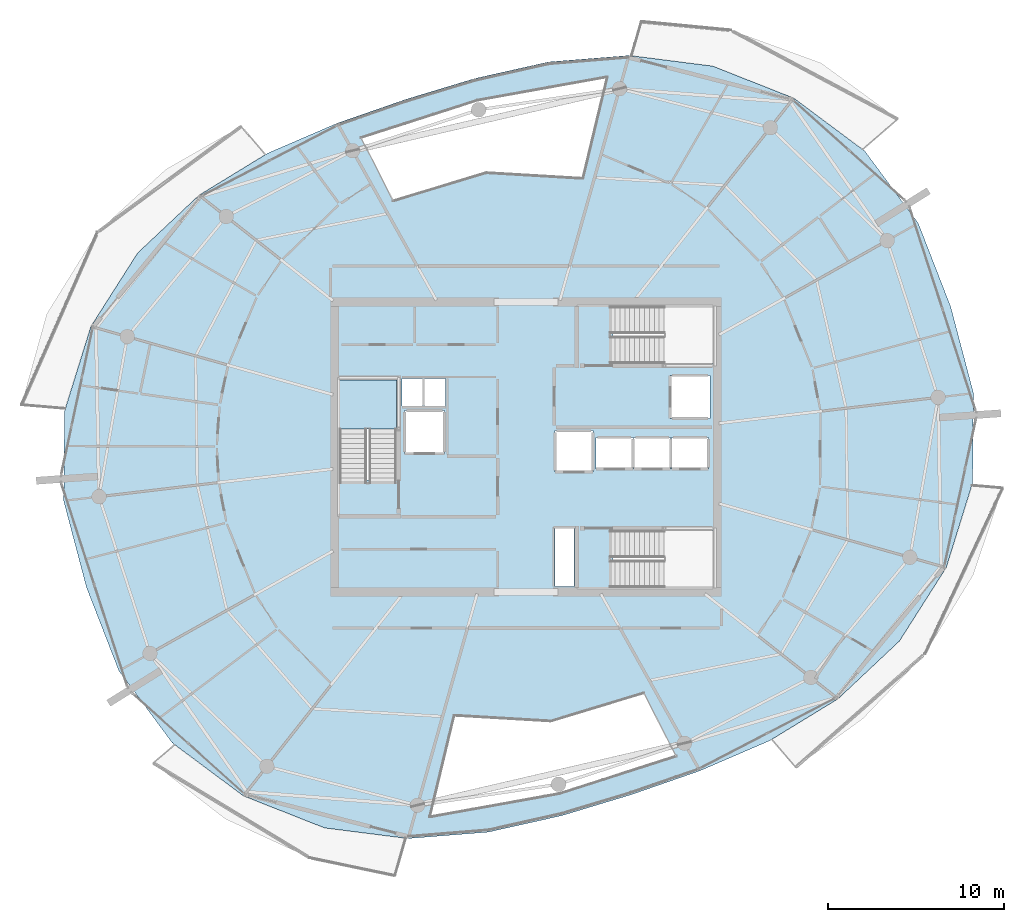
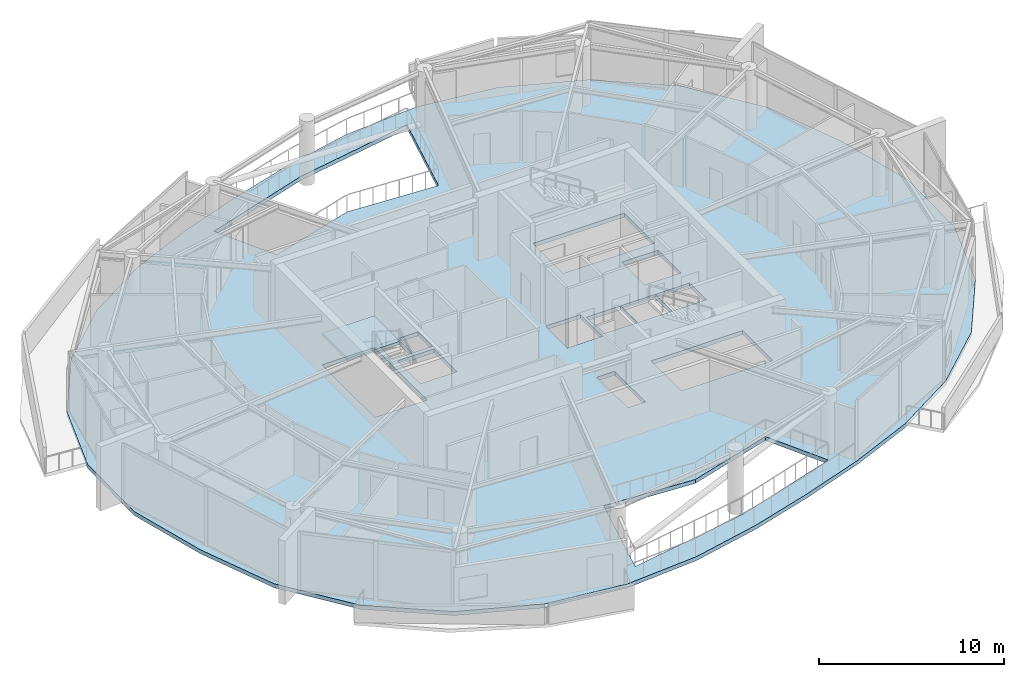
# One storey, part 10 of 22: 2 slabs, 1 element without a shape of its own.
"""IFC4 building model written with IfcOpenShell, lengths in metres."""

from ifc_helpers import new_model, si_unit, direction, frame, origin, place, context, subcontext, project, spatial, polyline, outline, extrude, material, layer, layer_set, type_object, element, aggregate, save


model = new_model("IFC4")

# Units and contexts
model_context = context("Model", 3, precision=1e-05, world=origin(), true_north=direction((0.0, 1.0)))
body_context = subcontext(model_context, "Body", "Model", "MODEL_VIEW")
ifc_project = project(units=[si_unit("LENGTHUNIT", "METRE"), si_unit("AREAUNIT", "SQUARE_METRE"), si_unit("VOLUMEUNIT", "CUBIC_METRE"), si_unit("PLANEANGLEUNIT", "RADIAN"), si_unit("MASSUNIT", "GRAM", prefix="KILO")], contexts=[model_context])

# Site, building, storey
site_placement = place(None, origin())
site = spatial("IfcSite", under=ifc_project, at=site_placement, CompositionType="ELEMENT")
building_placement = place(site_placement, origin())
building = spatial("IfcBuilding", under=site, at=building_placement, Name="Kazma Halo Residences", CompositionType="ELEMENT")
storey_placement = place(building_placement, frame((0.0, 0.0, 326.300048828125)))
storey = spatial("IfcBuildingStorey", under=building, at=storey_placement, Name="L82", CompositionType="ELEMENT", Elevation=326.300048828125)

# Slab
ifc_material = material(Name="Concrete C50/60", Category="concrete")
ifc_layer_1 = layer(ifc_material, 0.260009765625)
ifc_layer_set_1 = layer_set([ifc_layer_1], Name="Concrete C50/60")
slab_type_1 = type_object("IfcSlabType", Name="SLB-RES-260", PredefinedType="FLOOR", material=ifc_layer_set_1)
slab_1_placement = place(storey_placement, frame((0.0, 0.0, -0.260009765625)))
element("IfcSlab", 1, at=slab_1_placement, inside=storey, type_object=slab_type_1, Name="L82 structural floor slab", PredefinedType="FLOOR", context=body_context, shape_type="SweptSolid", body=[
    extrude(outline(polyline([(72.573486328125, 49.984375), (70.730224609375, 54.7294921875), (67.697265625, 58.822998046875), (63.6455078125, 61.84619140625), (59.037841796875, 63.6630859375), (54.280517578125, 64.269287109375), (49.723876953125, 63.90478515625), (45.51904296875, 62.9609375), (41.576416015625, 61.76953125), (37.6865234375, 60.416015625), (33.72998046875, 58.7080078125), (29.829345703125, 56.32470703125), (26.3369140625, 53.037841796875), (23.677001953125, 48.85986328125), (22.17626953125, 44.032470703125), (22.12841796875, 38.93798828125), (23.426513671875, 34.015625), (25.269775390625, 29.2705078125), (28.302734375, 25.177001953125), (32.3544921875, 22.15380859375), (36.962158203125, 20.3369140625), (41.719482421875, 19.730712890625), (46.276123046875, 20.09521484375), (50.48095703125, 21.0390625), (54.423583984375, 22.23046875), (58.3134765625, 23.583984375), (62.27001953125, 25.2919921875), (66.170654296875, 27.67529296875), (69.6630859375, 30.962158203125), (72.322998046875, 35.14013671875), (73.82373046875, 39.967529296875), (73.87158203125, 45.06201171875), (72.573486328125, 49.984375)]), holes=[polyline([(37.800048828125, 40.110107421875), (41.050048828125, 40.110107421875), (41.050048828125, 45.800048828125), (37.800048828125, 45.800048828125), (37.800048828125, 40.110107421875)]), polyline([(53.360107421875, 46.75), (59.050048828125, 46.75), (59.050048828125, 50.0), (53.360107421875, 50.0), (53.360107421875, 46.75)]), polyline([(53.360107421875, 34.0), (59.050048828125, 34.0), (59.050048828125, 37.25), (53.360107421875, 37.25), (53.360107421875, 34.0)]), polyline([(41.52001953125, 41.6201171875), (43.780029296875, 41.6201171875), (43.780029296875, 44.080078125), (41.52001953125, 44.080078125), (41.52001953125, 41.6201171875)]), polyline([(56.6201171875, 43.6201171875), (58.8798828125, 43.6201171875), (58.8798828125, 46.080078125), (56.6201171875, 46.080078125), (56.6201171875, 43.6201171875)]), polyline([(52.39501953125, 40.7451171875), (54.5048828125, 40.7451171875), (54.5048828125, 42.554931640625), (52.39501953125, 42.554931640625), (52.39501953125, 40.7451171875)]), polyline([(54.544921875, 40.7451171875), (56.655029296875, 40.7451171875), (56.655029296875, 42.554931640625), (54.544921875, 42.554931640625), (54.544921875, 40.7451171875)]), polyline([(56.695068359375, 40.7451171875), (58.804931640625, 40.7451171875), (58.804931640625, 42.554931640625), (56.695068359375, 42.554931640625), (56.695068359375, 40.7451171875)]), polyline([(50.070068359375, 40.570068359375), (52.22998046875, 40.570068359375), (52.22998046875, 42.929931640625), (50.070068359375, 42.929931640625), (50.070068359375, 40.570068359375)]), polyline([(41.360107421875, 44.340087890625), (42.5400390625, 44.340087890625), (42.5400390625, 45.89990234375), (41.360107421875, 45.89990234375), (41.360107421875, 44.340087890625)]), polyline([(42.659912109375, 44.340087890625), (43.840087890625, 44.340087890625), (43.840087890625, 45.89990234375), (42.659912109375, 45.89990234375), (42.659912109375, 44.340087890625)]), polyline([(50.06005859375, 34.080078125), (51.159912109375, 34.080078125), (51.159912109375, 37.3798828125), (50.06005859375, 37.3798828125), (50.06005859375, 34.080078125)]), polyline([(51.6650390625, 57.26611328125), (46.15478515625, 57.59130859375), (40.872314453125, 55.98876953125), (39.036376953125, 59.592041015625), (45.666015625, 61.7197265625), (53.052978515625, 63.047119140625), (51.6650390625, 57.26611328125)]), polyline([(44.3349609375, 26.73388671875), (49.84521484375, 26.40869140625), (55.127685546875, 28.01123046875), (56.963623046875, 24.407958984375), (50.333984375, 22.2802734375), (42.947021484375, 20.952880859375), (44.3349609375, 26.73388671875)])]), origin(), (0.0, 0.0, 1.0), 0.260009765625),
])

# Stair, slab
stair_type = type_object("IfcStairType", Name="STR-RES2", PredefinedType="HALF_TURN_STAIR", material=ifc_material)
stair_placement = place(storey_placement, origin())
stair = element("IfcStair", 2, at=stair_placement, inside=storey, type_object=stair_type, Name="L82 Core exit stair ST-01", PredefinedType="HALF_TURN_STAIR")
ifc_layer_2 = layer(ifc_material, 0.199951171875)
ifc_layer_set_2 = layer_set([ifc_layer_2], Name="Concrete C50/60")
slab_type_2 = type_object("IfcSlabType", Name="SLB-STAIR-LND-200", PredefinedType="LANDING", material=ifc_layer_set_2)
slab_2_placement = place(storey_placement, frame((0.0, 0.0, 1.89990234375)))
slab_2 = element("IfcSlab", 3, at=slab_2_placement, type_object=slab_type_2, Name="ST-01 landing 1", PredefinedType="LANDING", context=body_context, shape_type="SweptSolid", body=[
    extrude(outline(polyline([(41.050048828125, 43.030029296875), (41.050048828125, 45.800048828125), (37.800048828125, 45.800048828125), (37.800048828125, 43.030029296875), (41.050048828125, 43.030029296875)])), origin(), (0.0, 0.0, 1.0), 0.199951171875),
])
aggregate(stair, [slab_2])

save(model, "model.ifc")
